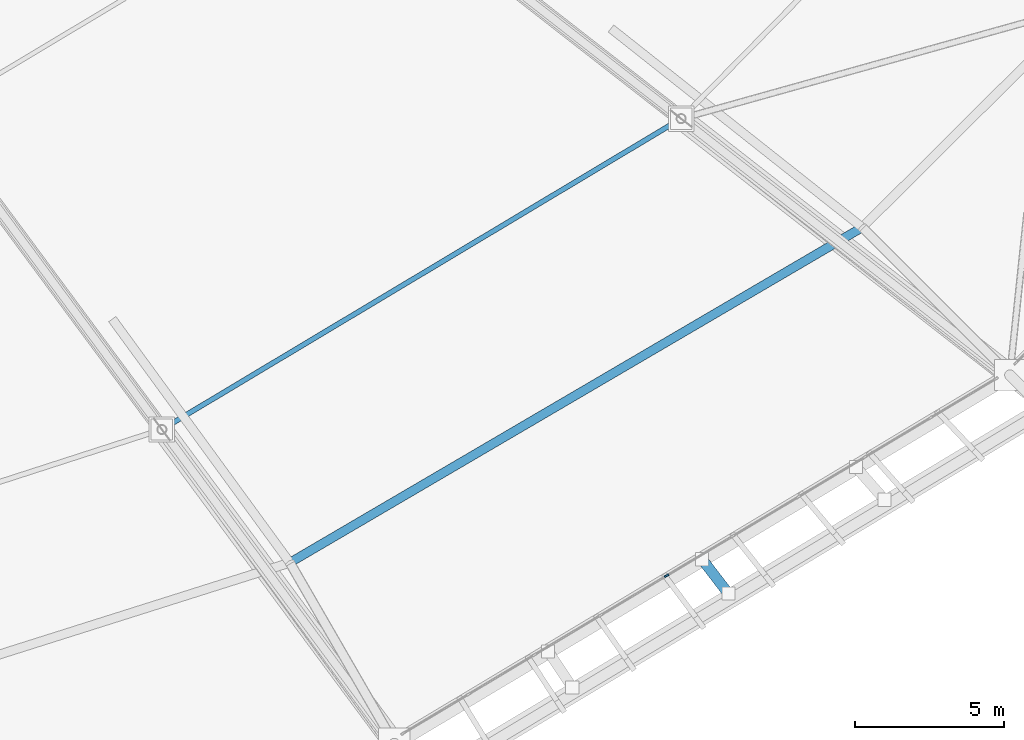
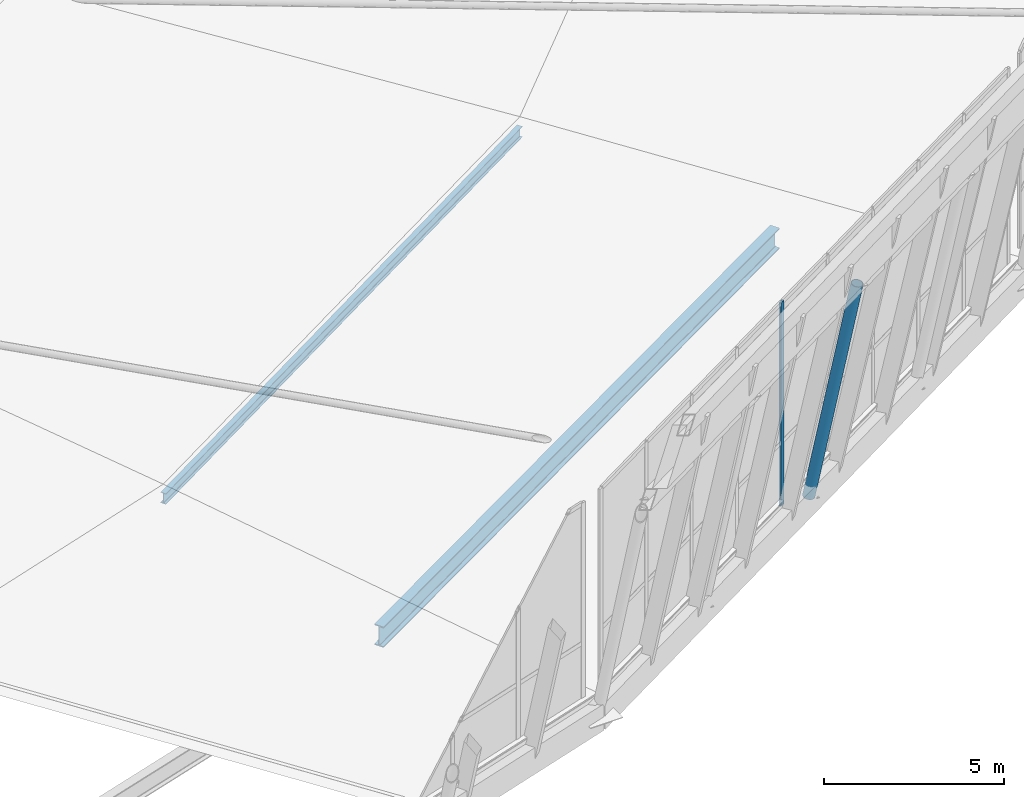
# One storey, part 38 of 115: 3 members, 1 beam, 1 element without a shape of its own.
"""IFC4 building model written with IfcOpenShell, lengths in metres."""

from ifc_helpers import new_model, si_unit, direction, frame, origin, origin_2d, place, context, subcontext, project, spatial, rectangle, hollow_circle, i_section, extrude, material, material_profile, profile_set, type_object, element, aggregate, save


model = new_model("IFC4")

# Units and contexts
model_context = context("Model", 3, precision=1e-05, world=origin(), true_north=direction((0.0, 1.0)))
body_context = subcontext(model_context, "Body", "Model", "MODEL_VIEW")
ifc_project = project(units=[si_unit("LENGTHUNIT", "METRE"), si_unit("AREAUNIT", "SQUARE_METRE"), si_unit("VOLUMEUNIT", "CUBIC_METRE"), si_unit("PLANEANGLEUNIT", "RADIAN"), si_unit("MASSUNIT", "GRAM", prefix="KILO")], contexts=[model_context])

# Site, building, storey
site_placement = place(None, origin())
site = spatial("IfcSite", under=ifc_project, at=site_placement, CompositionType="ELEMENT")
building_placement = place(site_placement, origin())
building = spatial("IfcBuilding", under=site, at=building_placement, Name="Zlatoyarsky Gate Stadium", CompositionType="ELEMENT")
storey_placement = place(building_placement, frame((0.0, 0.0, 31.800048828125)))
storey = spatial("IfcBuildingStorey", under=building, at=storey_placement, Name="RF", CompositionType="ELEMENT", Elevation=31.800048828125)

# Curtain wall, member
ifc_material_1 = material(Name="Thermally broken anodised aluminium curtain wall", Category="aluminium")
curtain_wall_type = type_object("IfcCurtainWallType", Name="UNITISED SKYBOX RING GLAZING L05", PredefinedType="USERDEFINED", material=ifc_material_1)
curtain_wall_placement = place(storey_placement, origin())
curtain_wall = element("IfcCurtainWall", 1, at=curtain_wall_placement, inside=storey, type_object=curtain_wall_type, Name="Curtain wall CW-RF-20", ObjectType="UNITISED GLAZING", PredefinedType="USERDEFINED")
ifc_material_2 = material(Name="Anodised aluminium 6063-T6", Category="aluminium")
ifc_material_profile_1 = material_profile(ifc_material_2, rectangle(XDim=0.06494140625, YDim=0.159912109375, at=origin_2d()), Name="ALU 65X160")
ifc_profile_set_1 = profile_set([ifc_material_profile_1], Name="Anodised aluminium 6063-T6")
member_type_1 = type_object("IfcMemberType", Name="ALUMINIUM MULLION 65X160", PredefinedType="MULLION", material=ifc_profile_set_1)
member_1_placement = place(storey_placement, frame((170.17626953125, 18.071533203125, 0.0), z_axis=(0.0, 0.0, 1.0), x_axis=(-0.513435995817, 0.858127891517, 0.0)))
member_1 = element("IfcMember", 2, at=member_1_placement, type_object=member_type_1, Name="CW-UG5 mullion 5", PredefinedType="MULLION", context=body_context, shape_type="SweptSolid", body=[
    extrude(rectangle(XDim=0.06494140625, YDim=0.159912109375, at=origin_2d()), origin(), (0.0, 0.0, 1.0), 6.89990234375),
])
aggregate(curtain_wall, [member_1])

# Members
ifc_material_3 = material(Name="Steel S355", Category="steel")
ifc_material_profile_2 = material_profile(ifc_material_3, hollow_circle(Radius=0.177734375, WallThickness=0.02001953125, at=origin_2d()), Name="CHS 355.6X20")
ifc_profile_set_2 = profile_set([ifc_material_profile_2], Name="Steel S355")
member_type_2 = type_object("IfcMemberType", Name="STEEL LEANING RIB RING STRUT CHS 355.6X20", PredefinedType="STRUT", material=ifc_profile_set_2)
member_2_placement = place(storey_placement, frame((171.3720703125, 18.626220703125, -0.449951171875), z_axis=(0.114467859113, -0.149205762334, 0.982158210125), x_axis=(0.793409192517, 0.608688634056, 0.0)))
element("IfcMember", 3, at=member_2_placement, inside=storey, type_object=member_type_2, Name="Outward-leaning bowl louvre fin rib RF 20-2", PredefinedType="STRUT", context=body_context, shape_type="SweptSolid", body=[
    extrude(hollow_circle(Radius=0.177734375, WallThickness=0.02001953125, at=origin_2d()), origin(), (0.0, 0.0, 1.0), 7.73779296875),
])
ifc_material_profile_3 = material_profile(ifc_material_3, i_section(OverallWidth=0.169921875, OverallDepth=0.360107421875, WebThickness=0.008056640625, FlangeThickness=0.0126953125, FilletRadius=0.01806640625, at=origin_2d()), Name="IPE 360")
ifc_profile_set_3 = profile_set([ifc_material_profile_3], Name="Steel S355")
member_type_3 = type_object("IfcMemberType", Name="STEEL LONG SPAN PURLIN IPE 360", PredefinedType="PURLIN", material=ifc_profile_set_3)
member_3_placement = place(storey_placement, frame((153.191650390625, 22.99462890625, 3.179931640625), z_axis=(0.858036074152, 0.513589423036, 0.0), x_axis=(-0.513589423036, 0.858036074152, 0.0)))
element("IfcMember", 4, at=member_3_placement, inside=storey, type_object=member_type_3, Name="Stadium roof purlin 20.1", PredefinedType="PURLIN", context=body_context, shape_type="SweptSolid", body=[
    extrude(i_section(OverallWidth=0.169921875, OverallDepth=0.360107421875, WebThickness=0.008056640625, FlangeThickness=0.0126953125, FilletRadius=0.01806640625, at=origin_2d()), origin(), (0.0, 0.0, 1.0), 20.367919921875),
])

# Beam
ifc_material_profile_4 = material_profile(ifc_material_3, i_section(OverallWidth=0.300048828125, OverallDepth=0.699951171875, WebThickness=0.01708984375, FlangeThickness=0.031982421875, FilletRadius=0.027099609375, at=origin_2d()), Name="HEB 700")
ifc_profile_set_4 = profile_set([ifc_material_profile_4], Name="Steel S355")
beam_type = type_object("IfcBeamType", Name="STEEL ROOF RING GIRDER HEB 700", PredefinedType="BEAM", material=ifc_profile_set_4)
beam_placement = place(storey_placement, frame((157.534423828125, 18.532470703125, -0.300048828125), z_axis=(0.862849851446, 0.505460318778, 0.0), x_axis=(-0.505460318778, 0.862849851446, 0.0)))
element("IfcBeam", 5, at=beam_placement, inside=storey, type_object=beam_type, Name="RF roof tie girder BM-RF-CRC-20", PredefinedType="BEAM", context=body_context, shape_type="SweptSolid", body=[
    extrude(i_section(OverallWidth=0.300048828125, OverallDepth=0.699951171875, WebThickness=0.01708984375, FlangeThickness=0.031982421875, FilletRadius=0.027099609375, at=origin_2d()), origin(), (0.0, 0.0, 1.0), 22.242431640625),
])

save(model, "model.ifc")
